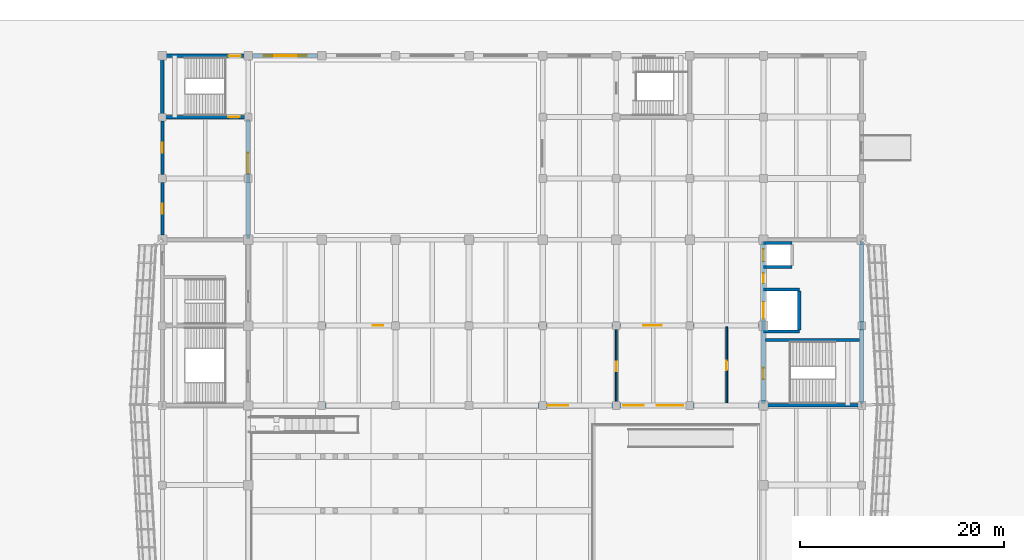
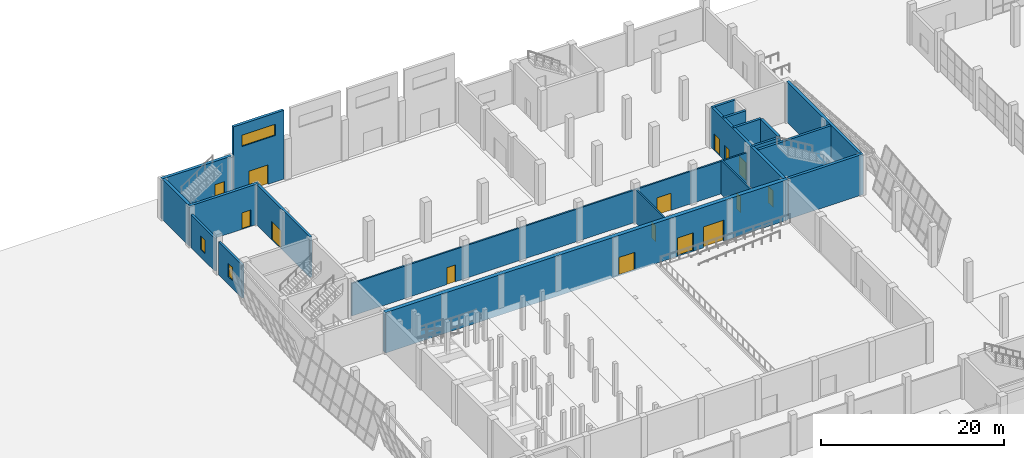
# One storey, part 64 of 78: 20 walls, 15 doors, 3 windows, 18 openings.
"""IFC4 building model written with IfcOpenShell, lengths in metres."""

from ifc_helpers import new_model, si_unit, direction, frame, frame_2d, origin, place, context, subcontext, project, spatial, rectangle, extrude, material, layer, layer_set, type_object, element, fill, save


model = new_model("IFC4")

# Units and contexts
model_context = context("Model", 3, precision=1e-05, world=origin(), true_north=direction((0.0, 1.0)))
body_context = subcontext(model_context, "Body", "Model", "MODEL_VIEW")
ifc_project = project(units=[si_unit("LENGTHUNIT", "METRE"), si_unit("AREAUNIT", "SQUARE_METRE"), si_unit("VOLUMEUNIT", "CUBIC_METRE"), si_unit("PLANEANGLEUNIT", "RADIAN"), si_unit("MASSUNIT", "GRAM", prefix="KILO")], contexts=[model_context])

# Site, building, storey
site_placement = place(None, origin())
site = spatial("IfcSite", under=ifc_project, at=site_placement, CompositionType="ELEMENT")
building_placement = place(site_placement, origin())
building = spatial("IfcBuilding", under=site, at=building_placement, Name="Pellamere Symphony Hall", CompositionType="ELEMENT")
storey_placement = place(building_placement, origin())
storey = spatial("IfcBuildingStorey", under=building, at=storey_placement, Name="L00", CompositionType="ELEMENT", Elevation=0.0)

# Wall, opening, window
ifc_material_1 = material(Name="Architectural Limestone-Clad Insulated Backing Assembly", Category="masonry")
ifc_layer_1 = layer(ifc_material_1, 0.280029296875, Name="Architectural Limestone-Clad Insulated Backing Assembly")
ifc_layer_set_1 = layer_set([ifc_layer_1], Name="Architectural Limestone-Clad Insulated Backing Assembly")
wall_type_1 = type_object("IfcWallType", Name="Exterior Wall EW-03 280mm", PredefinedType="SOLIDWALL", material=ifc_layer_set_1)
wall_1_placement = place(storey_placement, frame((50.39990234375, 94.050048828125, 0.0), z_axis=(0.0, 0.0, 1.0), x_axis=(0.0, 1.0, 0.0)))
wall_1 = element("IfcWall", 1, at=wall_1_placement, inside=storey, type_object=wall_type_1, Name="Exterior Wall EW-03-023 (L00)", PredefinedType="SOLIDWALL", context=body_context, shape_type="SweptSolid", body=[
    extrude(rectangle(XDim=5.175048828125, YDim=0.280029296875, at=frame_2d((2.58740234375, 0.0))), origin(), (0.0, 0.0, 1.0), 4.39990234375),
])
opening_1_placement = place(wall_1_placement, frame((2.112548828125, 0.0, 1.050048828125)))
opening_1 = element("IfcOpeningElement", 2, at=opening_1_placement, cuts=wall_1, Name="Opening W020", PredefinedType="OPENING", context=body_context, shape_type="SweptSolid", body=[
    extrude(rectangle(XDim=0.949951171875, YDim=1.800048828125, at=frame_2d((0.47509765625, 0.89990234375))), frame((0.0, 0.14990234375, 0.0), z_axis=(0.0, -1.0, 0.0), x_axis=(1.0, 0.0, 0.0)), (0.0, 0.0, 1.0), 0.300048828125),
])
ifc_material_2 = material(Name="Thermally Broken Aluminium Triple-Glazed Acoustic Window", Category="aluminium")
window_type_1 = type_object("IfcWindowType", Name="Window WN-08 950x1800", PartitioningType="SINGLE_PANEL", PredefinedType="WINDOW", material=ifc_material_2)
window_1_placement = place(opening_1_placement, origin())
window_1 = element("IfcWindow", 3, at=window_1_placement, inside=storey, type_object=window_type_1, Name="Exterior Window W020 (L00)", OverallHeight=1.800048828125, OverallWidth=0.949951171875, PartitioningType="SINGLE_PANEL", PredefinedType="WINDOW", context=body_context, shape_type="SweptSolid", body=[
    extrude(rectangle(XDim=0.949951171875, YDim=1.800048828125, at=frame_2d((0.47509765625, 0.89990234375))), frame((0.0, 0.030029296875, 0.0), z_axis=(0.0, -1.0, 0.0), x_axis=(1.0, 0.0, 0.0)), (0.0, 0.0, 1.0), 0.06005859375),
])
fill(opening_1, window_1)

wall_2_placement = place(storey_placement, frame((50.39990234375, 99.97509765625, 0.0), z_axis=(0.0, 0.0, 1.0), x_axis=(0.0, 1.0, 0.0)))
wall_2 = element("IfcWall", 4, at=wall_2_placement, inside=storey, type_object=wall_type_1, Name="Exterior Wall EW-03-025 (L00)", PredefinedType="SOLIDWALL", context=body_context, shape_type="SweptSolid", body=[
    extrude(rectangle(XDim=5.25, YDim=0.280029296875, at=frame_2d((2.625, 0.0))), origin(), (0.0, 0.0, 1.0), 4.39990234375),
])
opening_2_placement = place(wall_2_placement, frame((2.14990234375, 0.0, 1.050048828125)))
opening_2 = element("IfcOpeningElement", 5, at=opening_2_placement, cuts=wall_2, Name="Opening W021", PredefinedType="OPENING", context=body_context, shape_type="SweptSolid", body=[
    extrude(rectangle(XDim=0.949951171875, YDim=1.800048828125, at=frame_2d((0.47509765625, 0.89990234375))), frame((0.0, 0.14990234375, 0.0), z_axis=(0.0, -1.0, 0.0), x_axis=(1.0, 0.0, 0.0)), (0.0, 0.0, 1.0), 0.300048828125),
])
window_2_placement = place(opening_2_placement, origin())
window_2 = element("IfcWindow", 6, at=window_2_placement, inside=storey, type_object=window_type_1, Name="Exterior Window W021 (L00)", OverallHeight=1.800048828125, OverallWidth=0.949951171875, PartitioningType="SINGLE_PANEL", PredefinedType="WINDOW", context=body_context, shape_type="SweptSolid", body=[
    extrude(rectangle(XDim=0.949951171875, YDim=1.800048828125, at=frame_2d((0.47509765625, 0.89990234375))), frame((0.0, 0.030029296875, 0.0), z_axis=(0.0, -1.0, 0.0), x_axis=(1.0, 0.0, 0.0)), (0.0, 0.0, 1.0), 0.06005859375),
])
fill(opening_2, window_2)

# Wall, openings, door, window
ifc_material_3 = material(Name="Precast concrete 40 MPa", Category="concrete")
ifc_layer_2 = layer(ifc_material_3, 0.340087890625, Name="Precast concrete 40 MPa")
ifc_layer_set_2 = layer_set([ifc_layer_2], Name="Precast concrete 40 MPa")
wall_type_2 = type_object("IfcWallType", Name="Exterior Wall EW-07 340mm", PredefinedType="SOLIDWALL", material=ifc_layer_set_2)
wall_3_placement = place(storey_placement, frame((59.2099609375, 111.60009765625, 0.0), z_axis=(0.0, 0.0, 1.0), x_axis=(1.0, 0.0, 0.0)))
wall_3 = element("IfcWall", 7, at=wall_3_placement, inside=storey, type_object=wall_type_2, Name="Exterior Wall EW-07-016 (L00)", PredefinedType="SOLIDWALL", context=body_context, shape_type="SweptSolid", body=[
    extrude(rectangle(XDim=6.380126953125, YDim=0.340087890625, at=frame_2d((3.18994140625, 0.0))), origin(), (0.0, 0.0, 1.0), 9.179931640625),
])
opening_3_placement = place(wall_3_placement, frame((1.090087890625, 0.0, 6.199951171875)))
opening_3 = element("IfcOpeningElement", 8, at=opening_3_placement, cuts=wall_3, Name="Opening W014", PredefinedType="OPENING", context=body_context, shape_type="SweptSolid", body=[
    extrude(rectangle(XDim=4.199951171875, YDim=1.5, at=frame_2d((2.10009765625, 0.75))), frame((0.0, 0.179931640625, 0.0), z_axis=(0.0, -1.0, 0.0), x_axis=(1.0, 0.0, 0.0)), (0.0, 0.0, 1.0), 0.360107421875),
])
opening_4_placement = place(wall_3_placement, frame((1.989990234375, 0.0, 0.0)))
opening_4 = element("IfcOpeningElement", 9, at=opening_4_placement, cuts=wall_3, Name="Opening E0958", PredefinedType="OPENING", context=body_context, shape_type="SweptSolid", body=[
    extrude(rectangle(XDim=2.39990234375, YDim=2.60009765625, at=frame_2d((1.199951171875, 1.300048828125))), frame((0.0, 0.179931640625, 0.0), z_axis=(0.0, -1.0, 0.0), x_axis=(1.0, 0.0, 0.0)), (0.0, 0.0, 1.0), 0.360107421875),
])
ifc_material_4 = material(Name="Thermally Broken Bronze-Anodised Aluminium Acoustic Door", Category="aluminium")
door_type_1 = type_object("IfcDoorType", Name="Exterior Door ED-01 2400x2600", OperationType="NOTDEFINED", PredefinedType="DOOR", material=ifc_material_4)
door_1_placement = place(opening_4_placement, origin())
door_1 = element("IfcDoor", 10, at=door_1_placement, inside=storey, type_object=door_type_1, Name="Rehearsal North Plaza Exit", OperationType="DOUBLE_DOOR_SINGLE_SWING", OverallHeight=2.60009765625, OverallWidth=2.39990234375, PredefinedType="DOOR", context=body_context, shape_type="SweptSolid", body=[
    extrude(rectangle(XDim=2.39990234375, YDim=2.60009765625, at=frame_2d((1.199951171875, 1.300048828125))), frame((0.0, 0.02490234375, 0.0), z_axis=(0.0, -1.0, 0.0), x_axis=(1.0, 0.0, 0.0)), (0.0, 0.0, 1.0), 0.050048828125),
])
fill(opening_4, door_1)
window_type_2 = type_object("IfcWindowType", Name="Window WN-09 4200x1500", PartitioningType="TRIPLE_PANEL_HORIZONTAL", PredefinedType="WINDOW", material=ifc_material_2)
window_3_placement = place(opening_3_placement, origin())
window_3 = element("IfcWindow", 11, at=window_3_placement, inside=storey, type_object=window_type_2, Name="Exterior Window W014 (L00)", OverallHeight=1.5, OverallWidth=4.199951171875, PartitioningType="SINGLE_PANEL", PredefinedType="WINDOW", context=body_context, shape_type="SweptSolid", body=[
    extrude(rectangle(XDim=4.199951171875, YDim=1.5, at=frame_2d((2.10009765625, 0.75))), frame((0.0, 0.030029296875, 0.0), z_axis=(0.0, -1.0, 0.0), x_axis=(1.0, 0.0, 0.0)), (0.0, 0.0, 1.0), 0.06005859375),
])
fill(opening_3, window_3)

# Wall, openings, doors
ifc_material_5 = material(Name="Fire-Rated STC-58 Corridor Acoustic Partition", Category="gypsum")
ifc_layer_3 = layer(ifc_material_5, 0.199951171875, Name="Fire-Rated STC-58 Corridor Acoustic Partition")
ifc_layer_set_3 = layer_set([ifc_layer_3], Name="Fire-Rated STC-58 Corridor Acoustic Partition")
wall_type_3 = type_object("IfcWallType", Name="Interior Partition IW-02 200mm", PredefinedType="PARTITIONING", material=ifc_layer_set_3)
wall_4_placement = place(storey_placement, frame((58.9599609375, 85.199951171875, 0.0), z_axis=(0.0, 0.0, 1.0), x_axis=(1.0, 0.0, 0.0)))
wall_4 = element("IfcWall", 12, at=wall_4_placement, inside=storey, type_object=wall_type_3, Name="Interior Partition IW-02-058 (L00)", PredefinedType="PARTITIONING", context=body_context, shape_type="SweptSolid", body=[
    extrude(rectangle(XDim=49.880126953125, YDim=0.199951171875, at=frame_2d((24.93994140625, 0.0))), origin(), (0.0, 0.0, 1.0), 4.340087890625),
])
opening_5_placement = place(wall_4_placement, frame((12.0, 0.0, 0.0)))
opening_5 = element("IfcOpeningElement", 13, at=opening_5_placement, cuts=wall_4, Name="Opening ID-AD2-020", PredefinedType="OPENING", context=body_context, shape_type="SweptSolid", body=[
    extrude(rectangle(XDim=1.050048828125, YDim=2.25, at=frame_2d((0.52490234375, 1.125))), frame((0.0, 0.10986328125, 0.0), z_axis=(0.0, -1.0, 0.0), x_axis=(1.0, 0.0, 0.0)), (0.0, 0.0, 1.0), 0.219970703125),
])
opening_6_placement = place(wall_4_placement, frame((38.5, 0.0, 0.0)))
opening_6 = element("IfcOpeningElement", 14, at=opening_6_placement, cuts=wall_4, Name="Opening ID-FD1-021", PredefinedType="OPENING", context=body_context, shape_type="SweptSolid", body=[
    extrude(rectangle(XDim=1.800048828125, YDim=2.300048828125, at=frame_2d((0.89990234375, 1.14990234375))), frame((0.0, 0.10986328125, 0.0), z_axis=(0.0, -1.0, 0.0), x_axis=(1.0, 0.0, 0.0)), (0.0, 0.0, 1.0), 0.219970703125),
])
ifc_material_6 = material(Name="STC-50 Oak Acoustic Studio Door", Category="wood")
door_type_2 = type_object("IfcDoorType", Name="Interior Door ID-AD2 1050x2250", OperationType="NOTDEFINED", PredefinedType="DOOR", material=ifc_material_6)
door_2_placement = place(opening_5_placement, origin())
door_2 = element("IfcDoor", 15, at=door_2_placement, inside=storey, type_object=door_type_2, Name="Artists Green Room Entry", OperationType="SINGLE_SWING_LEFT", OverallHeight=2.25, OverallWidth=1.050048828125, PredefinedType="DOOR", context=body_context, shape_type="SweptSolid", body=[
    extrude(rectangle(XDim=1.050048828125, YDim=2.25, at=frame_2d((0.52490234375, 1.125))), frame((0.0, 0.02490234375, 0.0), z_axis=(0.0, -1.0, 0.0), x_axis=(1.0, 0.0, 0.0)), (0.0, 0.0, 1.0), 0.050048828125),
])
fill(opening_5, door_2)
ifc_material_7 = material(Name="Fire-Rated Cross-Corridor Double Door", Category="wood")
door_type_3 = type_object("IfcDoorType", Name="Interior Door ID-FD1 1800x2300", OperationType="NOTDEFINED", PredefinedType="DOOR", material=ifc_material_7)
door_3_placement = place(opening_6_placement, origin())
door_3 = element("IfcDoor", 16, at=door_3_placement, inside=storey, type_object=door_type_3, Name="Stage Wing Piano Prep Door", OperationType="DOUBLE_DOOR_SINGLE_SWING", OverallHeight=2.300048828125, OverallWidth=1.800048828125, PredefinedType="DOOR", context=body_context, shape_type="SweptSolid", body=[
    extrude(rectangle(XDim=1.800048828125, YDim=2.300048828125, at=frame_2d((0.89990234375, 1.14990234375))), frame((0.0, 0.02490234375, 0.0), z_axis=(0.0, -1.0, 0.0), x_axis=(1.0, 0.0, 0.0)), (0.0, 0.0, 1.0), 0.050048828125),
])
fill(opening_6, door_3)

# Wall, opening, door
ifc_material_8 = material(Name="Moisture-Resistant Ceramic-Tiled Washroom Wall", Category="gypsum")
ifc_layer_4 = layer(ifc_material_8, 0.179931640625, Name="Moisture-Resistant Ceramic-Tiled Washroom Wall")
ifc_layer_set_4 = layer_set([ifc_layer_4], Name="Moisture-Resistant Ceramic-Tiled Washroom Wall")
wall_type_4 = type_object("IfcWallType", Name="Interior Partition IW-06 180mm", PredefinedType="PARTITIONING", material=ifc_layer_set_4)
wall_5_placement = place(storey_placement, frame((94.800048828125, 77.550048828125, 0.0), z_axis=(0.0, 0.0, 1.0), x_axis=(0.0, 1.0, 0.0)))
wall_5 = element("IfcWall", 17, at=wall_5_placement, inside=storey, type_object=wall_type_4, Name="Interior Partition IW-06-056 (L00)", PredefinedType="PARTITIONING", context=body_context, shape_type="SweptSolid", body=[
    extrude(rectangle(XDim=7.64990234375, YDim=0.179931640625, at=frame_2d((3.824951171875, 0.0))), origin(), (0.0, 0.0, 1.0), 4.449951171875),
])
opening_7_placement = place(wall_5_placement, frame((3.199951171875, 0.0, 0.0)))
opening_7 = element("IfcOpeningElement", 18, at=opening_7_placement, cuts=wall_5, Name="Opening ID-WC1-018", PredefinedType="OPENING", context=body_context, shape_type="SweptSolid", body=[
    extrude(rectangle(XDim=0.919921875, YDim=2.14990234375, at=frame_2d((0.4599609375, 1.074951171875))), frame((0.0, 0.099853515625, 0.0), z_axis=(0.0, -1.0, 0.0), x_axis=(1.0, 0.0, 0.0)), (0.0, 0.0, 1.0), 0.199951171875),
])
ifc_material_9 = material(Name="Accessible Washroom Privacy Door", Category="wood")
door_type_4 = type_object("IfcDoorType", Name="Interior Door ID-WC1 920x2150", OperationType="NOTDEFINED", PredefinedType="DOOR", material=ifc_material_9)
door_4_placement = place(opening_7_placement, origin())
door_4 = element("IfcDoor", 19, at=door_4_placement, inside=storey, type_object=door_type_4, Name="Ground Public Washrooms Entry", OperationType="SINGLE_SWING_RIGHT", OverallHeight=2.14990234375, OverallWidth=0.919921875, PredefinedType="DOOR", context=body_context, shape_type="SweptSolid", body=[
    extrude(rectangle(XDim=0.919921875, YDim=2.14990234375, at=frame_2d((0.4599609375, 1.074951171875))), frame((0.0, 0.02490234375, 0.0), z_axis=(0.0, -1.0, 0.0), x_axis=(1.0, 0.0, 0.0)), (0.0, 0.0, 1.0), 0.050048828125),
])
fill(opening_7, door_4)

wall_6_placement = place(storey_placement, frame((105.60009765625, 77.659912109375, 0.0), z_axis=(0.0, 0.0, 1.0), x_axis=(0.0, 1.0, 0.0)))
wall_6 = element("IfcWall", 20, at=wall_6_placement, inside=storey, type_object=wall_type_4, Name="Interior Partition IW-06-057 (L00)", PredefinedType="PARTITIONING", context=body_context, shape_type="SweptSolid", body=[
    extrude(rectangle(XDim=7.43017578125, YDim=0.179931640625, at=frame_2d((3.715087890625, 0.0))), origin(), (0.0, 0.0, 1.0), 4.534912109375),
])
opening_8_placement = place(wall_6_placement, frame((3.199951171875, 0.0, 0.0)))
opening_8 = element("IfcOpeningElement", 21, at=opening_8_placement, cuts=wall_6, Name="Opening ID-WC1-019", PredefinedType="OPENING", context=body_context, shape_type="SweptSolid", body=[
    extrude(rectangle(XDim=0.919921875, YDim=2.14990234375, at=frame_2d((0.4599609375, 1.074951171875))), frame((0.0, 0.099853515625, 0.0), z_axis=(0.0, -1.0, 0.0), x_axis=(1.0, 0.0, 0.0)), (0.0, 0.0, 1.0), 0.199951171875),
])
door_5_placement = place(opening_8_placement, origin())
door_5 = element("IfcDoor", 22, at=door_5_placement, inside=storey, type_object=door_type_4, Name="Ground Accessible WC Door", OperationType="SINGLE_SWING_LEFT", OverallHeight=2.14990234375, OverallWidth=0.919921875, PredefinedType="DOOR", context=body_context, shape_type="SweptSolid", body=[
    extrude(rectangle(XDim=0.919921875, YDim=2.14990234375, at=frame_2d((0.4599609375, 1.074951171875))), frame((0.0, 0.02490234375, 0.0), z_axis=(0.0, -1.0, 0.0), x_axis=(1.0, 0.0, 0.0)), (0.0, 0.0, 1.0), 0.050048828125),
])
fill(opening_8, door_5)

# Wall
ifc_material_10 = material(Name="Concrete 40 MPa", Category="concrete")
ifc_layer_5 = layer(ifc_material_10, 0.35009765625, Name="Concrete 40 MPa")
ifc_layer_set_5 = layer_set([ifc_layer_5], Name="Concrete 40 MPa")
wall_type_5 = type_object("IfcWallType", Name="Structural Wall SW-03 350mm", PredefinedType="SHEAR", material=ifc_layer_set_5)
wall_7_placement = place(storey_placement, frame((109.52001953125, 77.39990234375, 0.0), z_axis=(0.0, 0.0, 1.0), x_axis=(1.0, 0.0, 0.0)))
element("IfcWall", 23, at=wall_7_placement, inside=storey, type_object=wall_type_5, Name="Core Shear Wall C4 S (L00)", PredefinedType="SHEAR", context=body_context, shape_type="SweptSolid", body=[
    extrude(rectangle(XDim=9.455078125, YDim=0.35009765625, at=frame_2d((4.7275390625, 0.0))), origin(), (0.0, 0.0, 1.0), 5.39990234375),
])

# Wall, openings, doors
wall_8_placement = place(storey_placement, frame((109.199951171875, 77.574951171875, 0.0), z_axis=(0.0, 0.0, 1.0), x_axis=(0.0, 1.0, 0.0)))
wall_8 = element("IfcWall", 24, at=wall_8_placement, inside=storey, type_object=wall_type_5, Name="Core Shear Wall C4 W (L00)", PredefinedType="SHEAR", context=body_context, shape_type="SweptSolid", body=[
    extrude(rectangle(XDim=15.85009765625, YDim=0.35009765625, at=frame_2d((7.925048828125, 0.0))), origin(), (0.0, 0.0, 1.0), 5.39990234375),
])
opening_9_placement = place(wall_8_placement, frame((8.324951171875, 0.0, 0.0)))
opening_9 = element("IfcOpeningElement", 25, at=opening_9_placement, cuts=wall_8, Name="Opening LD-46", PredefinedType="OPENING", context=body_context, shape_type="SweptSolid", body=[
    extrude(rectangle(XDim=1.60009765625, YDim=2.39990234375, at=frame_2d((0.800048828125, 1.199951171875))), frame((0.0, 0.18505859375, 0.0), z_axis=(0.0, -1.0, 0.0), x_axis=(1.0, 0.0, 0.0)), (0.0, 0.0, 1.0), 0.3701171875),
])
opening_10_placement = place(wall_8_placement, frame((13.925048828125, 0.0, 0.0)))
opening_10 = element("IfcOpeningElement", 26, at=opening_10_placement, cuts=wall_8, Name="Opening LD-51", PredefinedType="OPENING", context=body_context, shape_type="SweptSolid", body=[
    extrude(rectangle(XDim=1.199951171875, YDim=2.199951171875, at=frame_2d((0.60009765625, 1.10009765625))), frame((0.0, 0.18505859375, 0.0), z_axis=(0.0, -1.0, 0.0), x_axis=(1.0, 0.0, 0.0)), (0.0, 0.0, 1.0), 0.3701171875),
])
opening_11_placement = place(wall_8_placement, frame((11.7900390625, 0.0, 0.0)))
opening_11 = element("IfcOpeningElement", 27, at=opening_11_placement, cuts=wall_8, Name="Opening FD-123", PredefinedType="OPENING", context=body_context, shape_type="SweptSolid", body=[
    extrude(rectangle(XDim=0.949951171875, YDim=2.10009765625, at=frame_2d((0.47509765625, 1.050048828125))), frame((0.0, 0.18505859375, 0.0), z_axis=(0.0, -1.0, 0.0), x_axis=(1.0, 0.0, 0.0)), (0.0, 0.0, 1.0), 0.3701171875),
])
opening_12_placement = place(wall_8_placement, frame((2.39990234375, 0.0, 0.0)))
opening_12 = element("IfcOpeningElement", 28, at=opening_12_placement, cuts=wall_8, Name="Opening SD-18", PredefinedType="OPENING", context=body_context, shape_type="SweptSolid", body=[
    extrude(rectangle(XDim=1.10009765625, YDim=2.199951171875, at=frame_2d((0.550048828125, 1.10009765625))), frame((0.0, 0.18505859375, 0.0), z_axis=(0.0, -1.0, 0.0), x_axis=(1.0, 0.0, 0.0)), (0.0, 0.0, 1.0), 0.3701171875),
])
ifc_material_11 = material(Name="Two-Hour Fire-Rated Steel Compartment Door", Category="steel")
door_type_5 = type_object("IfcDoorType", Name="Interior Door ID-FD3 950x2100", OperationType="NOTDEFINED", PredefinedType="DOOR", material=ifc_material_11)
door_6_placement = place(opening_11_placement, origin())
door_6 = element("IfcDoor", 29, at=door_6_placement, inside=storey, type_object=door_type_5, Name="Core C4 Stage Service and Riser Door (L00)", OperationType="SINGLE_SWING_RIGHT", OverallHeight=2.10009765625, OverallWidth=0.949951171875, PredefinedType="DOOR", context=body_context, shape_type="SweptSolid", body=[
    extrude(rectangle(XDim=0.949951171875, YDim=2.10009765625, at=frame_2d((0.47509765625, 1.050048828125))), frame((0.0, 0.02490234375, 0.0), z_axis=(0.0, -1.0, 0.0), x_axis=(1.0, 0.0, 0.0)), (0.0, 0.0, 1.0), 0.050048828125),
])
fill(opening_11, door_6)
ifc_material_12 = material(Name="Stainless Steel AISI 316 Elevator Landing Door", Category="steel")
door_type_6 = type_object("IfcDoorType", Name="Interior Door ID-LD1 1200x2200", OperationType="NOTDEFINED", PredefinedType="DOOR", material=ifc_material_12)
door_7_placement = place(opening_10_placement, origin())
door_7 = element("IfcDoor", 30, at=door_7_placement, inside=storey, type_object=door_type_6, Name="Elevator PL6 Sliding Landing Door (L00)", OperationType="SLIDING_TO_LEFT", OverallHeight=2.199951171875, OverallWidth=1.199951171875, PredefinedType="DOOR", context=body_context, shape_type="SweptSolid", body=[
    extrude(rectangle(XDim=1.199951171875, YDim=2.199951171875, at=frame_2d((0.60009765625, 1.10009765625))), frame((0.0, 0.02490234375, 0.0), z_axis=(0.0, -1.0, 0.0), x_axis=(1.0, 0.0, 0.0)), (0.0, 0.0, 1.0), 0.050048828125),
])
fill(opening_10, door_7)
ifc_material_13 = material(Name="Heavy-Duty Stainless Freight Elevator Landing Door", Category="steel")
door_type_7 = type_object("IfcDoorType", Name="Interior Door ID-LD2 1600x2400", OperationType="NOTDEFINED", PredefinedType="DOOR", material=ifc_material_13)
door_8_placement = place(opening_9_placement, origin())
door_8 = element("IfcDoor", 31, at=door_8_placement, inside=storey, type_object=door_type_7, Name="Elevator GL1 Sliding Landing Door (L00)", OperationType="SLIDING_TO_RIGHT", OverallHeight=2.39990234375, OverallWidth=1.60009765625, PredefinedType="DOOR", context=body_context, shape_type="SweptSolid", body=[
    extrude(rectangle(XDim=1.60009765625, YDim=2.39990234375, at=frame_2d((0.800048828125, 1.199951171875))), frame((0.0, 0.02490234375, 0.0), z_axis=(0.0, -1.0, 0.0), x_axis=(1.0, 0.0, 0.0)), (0.0, 0.0, 1.0), 0.050048828125),
])
fill(opening_9, door_8)
ifc_material_14 = material(Name="Fire-Rated Steel Exit Stair Door", Category="steel")
door_type_8 = type_object("IfcDoorType", Name="Interior Door ID-SD1 1100x2200", OperationType="NOTDEFINED", PredefinedType="DOOR", material=ifc_material_14)
door_9_placement = place(opening_12_placement, origin())
door_9 = element("IfcDoor", 32, at=door_9_placement, inside=storey, type_object=door_type_8, Name="Core C4 Exit Stair Door (L00)", OperationType="SINGLE_SWING_RIGHT", OverallHeight=2.199951171875, OverallWidth=1.10009765625, PredefinedType="DOOR", context=body_context, shape_type="SweptSolid", body=[
    extrude(rectangle(XDim=1.10009765625, YDim=2.199951171875, at=frame_2d((0.550048828125, 1.10009765625))), frame((0.0, 0.02490234375, 0.0), z_axis=(0.0, -1.0, 0.0), x_axis=(1.0, 0.0, 0.0)), (0.0, 0.0, 1.0), 0.050048828125),
])
fill(opening_12, door_9)

# Wall
wall_9_placement = place(storey_placement, frame((118.800048828125, 77.574951171875, 0.0), z_axis=(0.0, 0.0, 1.0), x_axis=(0.0, 1.0, 0.0)))
element("IfcWall", 33, at=wall_9_placement, inside=storey, type_object=wall_type_5, Name="Core Shear Wall C4 E (L00)", PredefinedType="SHEAR", context=body_context, shape_type="SweptSolid", body=[
    extrude(rectangle(XDim=15.85009765625, YDim=0.35009765625, at=frame_2d((7.925048828125, 0.0))), origin(), (0.0, 0.0, 1.0), 5.39990234375),
])

# Wall, opening, door
wall_10_placement = place(storey_placement, frame((50.22509765625, 105.60009765625, 0.0), z_axis=(0.0, 0.0, 1.0), x_axis=(1.0, 0.0, 0.0)))
wall_10 = element("IfcWall", 34, at=wall_10_placement, inside=storey, type_object=wall_type_5, Name="Stair ST10 Enclosure Wall S (L00)", PredefinedType="SHEAR", context=body_context, shape_type="SweptSolid", body=[
    extrude(rectangle(XDim=8.75, YDim=0.35009765625, at=frame_2d((4.375, 0.0))), origin(), (0.0, 0.0, 1.0), 5.39990234375),
])
opening_13_placement = place(wall_10_placement, frame((6.625, 0.0, 0.0)))
opening_13 = element("IfcOpeningElement", 35, at=opening_13_placement, cuts=wall_10, Name="Opening SD-52", PredefinedType="OPENING", context=body_context, shape_type="SweptSolid", body=[
    extrude(rectangle(XDim=1.10009765625, YDim=2.199951171875, at=frame_2d((0.550048828125, 1.10009765625))), frame((0.0, 0.18505859375, 0.0), z_axis=(0.0, -1.0, 0.0), x_axis=(1.0, 0.0, 0.0)), (0.0, 0.0, 1.0), 0.3701171875),
])
door_10_placement = place(opening_13_placement, origin())
door_10 = element("IfcDoor", 36, at=door_10_placement, inside=storey, type_object=door_type_8, Name="Exit Stair ST10 Door (L00)", OperationType="SINGLE_SWING_RIGHT", OverallHeight=2.199951171875, OverallWidth=1.10009765625, PredefinedType="DOOR", context=body_context, shape_type="SweptSolid", body=[
    extrude(rectangle(XDim=1.10009765625, YDim=2.199951171875, at=frame_2d((0.550048828125, 1.10009765625))), frame((0.0, 0.02490234375, 0.0), z_axis=(0.0, -1.0, 0.0), x_axis=(1.0, 0.0, 0.0)), (0.0, 0.0, 1.0), 0.050048828125),
])
fill(opening_13, door_10)

# Wall
wall_11_placement = place(storey_placement, frame((50.39990234375, 105.77490234375, 0.0), z_axis=(0.0, 0.0, 1.0), x_axis=(0.0, 1.0, 0.0)))
element("IfcWall", 37, at=wall_11_placement, inside=storey, type_object=wall_type_5, Name="Stair ST10 Enclosure Wall W (L00)", PredefinedType="SHEAR", context=body_context, shape_type="SweptSolid", body=[
    extrude(rectangle(XDim=5.650146484375, YDim=0.35009765625, at=frame_2d((2.8251953125, 0.0))), origin(), (0.0, 0.0, 1.0), 5.39990234375),
])

# Wall, opening, door
ifc_layer_6 = layer(ifc_material_10, 0.300048828125, Name="Concrete 40 MPa")
ifc_layer_set_6 = layer_set([ifc_layer_6], Name="Concrete 40 MPa")
wall_type_6 = type_object("IfcWallType", Name="Structural Wall SW-04 300mm", PredefinedType="SHEAR", material=ifc_layer_set_6)
wall_12_placement = place(storey_placement, frame((58.800048828125, 93.75, 0.0), z_axis=(0.0, 0.0, 1.0), x_axis=(0.0, 1.0, 0.0)))
wall_12 = element("IfcWall", 38, at=wall_12_placement, inside=storey, type_object=wall_type_6, Name="Rehearsal Hall Acoustic Wall AW3-W (L00)", PredefinedType="SHEAR", context=body_context, shape_type="SweptSolid", body=[
    extrude(rectangle(XDim=11.60009765625, YDim=0.300048828125, at=frame_2d((5.800048828125, 0.0))), origin(), (0.0, 0.0, 1.0), 5.39990234375),
])
opening_14_placement = place(wall_12_placement, frame((6.35009765625, 0.0, 0.0)))
opening_14 = element("IfcOpeningElement", 39, at=opening_14_placement, cuts=wall_12, Name="Opening AD-80", PredefinedType="OPENING", context=body_context, shape_type="SweptSolid", body=[
    extrude(rectangle(XDim=2.0, YDim=2.449951171875, at=frame_2d((1.0, 1.22509765625))), frame((0.0, 0.159912109375, 0.0), z_axis=(0.0, -1.0, 0.0), x_axis=(1.0, 0.0, 0.0)), (0.0, 0.0, 1.0), 0.320068359375),
])
ifc_material_15 = material(Name="STC-55 Solid White Oak Acoustic Hall Entry Door", Category="wood")
door_type_9 = type_object("IfcDoorType", Name="Interior Door ID-AD1 2000x2450", OperationType="NOTDEFINED", PredefinedType="DOOR", material=ifc_material_15)
door_11_placement = place(opening_14_placement, origin())
door_11 = element("IfcDoor", 40, at=door_11_placement, inside=storey, type_object=door_type_9, Name="Rehearsal Hall West Musicians Door", OperationType="DOUBLE_DOOR_SINGLE_SWING", OverallHeight=2.449951171875, OverallWidth=2.0, PredefinedType="DOOR", context=body_context, shape_type="SweptSolid", body=[
    extrude(rectangle(XDim=2.0, YDim=2.449951171875, at=frame_2d((1.0, 1.22509765625))), frame((0.0, 0.02490234375, 0.0), z_axis=(0.0, -1.0, 0.0), x_axis=(1.0, 0.0, 0.0)), (0.0, 0.0, 1.0), 0.050048828125),
])
fill(opening_14, door_11)

# Walls
for number, where, z_axis, x_axis, name in (
    (41, (109.199951171875, 84.64990234375, 0.0), (0.0, 0.0, 1.0), (1.0, 0.0, 0.0), "Elevator GL1 Hoistway Wall S (L00)"),
    (42, (109.199951171875, 88.75, 0.0), (0.0, 0.0, 1.0), (1.0, 0.0, 0.0), "Elevator GL1 Hoistway Wall N (L00)"),
):
    element("IfcWall", number, at=place(storey_placement, frame(where, z_axis=z_axis, x_axis=x_axis)), inside=storey, type_object=wall_type_6, Name=name, PredefinedType="SHEAR", context=body_context, shape_type="SweptSolid", body=[
        extrude(rectangle(XDim=3.5, YDim=0.300048828125, at=frame_2d((1.75, 0.0))), origin(), (0.0, 0.0, 1.0), 5.39990234375),
    ])
wall_13_placement = place(storey_placement, frame((112.699951171875, 84.800048828125, 0.0), z_axis=(0.0, 0.0, 1.0), x_axis=(0.0, 1.0, 0.0)))
element("IfcWall", 43, at=wall_13_placement, inside=storey, type_object=wall_type_6, Name="Elevator GL1 Hoistway Wall E (L00)", PredefinedType="SHEAR", context=body_context, shape_type="SweptSolid", body=[
    extrude(rectangle(XDim=3.800048828125, YDim=0.300048828125, at=frame_2d((1.89990234375, 0.0))), origin(), (0.0, 0.0, 1.0), 5.39990234375),
])
for number, where, z_axis, x_axis, name in (
    (44, (109.199951171875, 90.925048828125, 0.0), (0.0, 0.0, 1.0), (1.0, 0.0, 0.0), "Elevator PL6 Hoistway Wall S (L00)"),
    (45, (109.199951171875, 93.27490234375, 0.0), (0.0, 0.0, 1.0), (1.0, 0.0, 0.0), "Elevator PL6 Hoistway Wall N (L00)"),
):
    element("IfcWall", number, at=place(storey_placement, frame(where, z_axis=z_axis, x_axis=x_axis)), inside=storey, type_object=wall_type_6, Name=name, PredefinedType="SHEAR", context=body_context, shape_type="SweptSolid", body=[
        extrude(rectangle(XDim=2.800048828125, YDim=0.300048828125, at=frame_2d((1.39990234375, 0.0))), origin(), (0.0, 0.0, 1.0), 5.39990234375),
    ])

# Wall, openings, doors
ifc_material_16 = material(Name="Architectural warm-pigmented concrete 40 MPa", Category="concrete")
ifc_layer_7 = layer(ifc_material_16, 0.5, Name="Architectural warm-pigmented concrete 40 MPa")
ifc_layer_set_7 = layer_set([ifc_layer_7], Name="Architectural warm-pigmented concrete 40 MPa")
wall_type_7 = type_object("IfcWallType", Name="Structural Wall SW-05 500mm", PredefinedType="SOLIDWALL", material=ifc_layer_set_7)
wall_14_placement = place(storey_placement, frame((58.590087890625, 77.39990234375, 0.0), z_axis=(0.0, 0.0, 1.0), x_axis=(1.0, 0.0, 0.0)))
wall_14 = element("IfcWall", 46, at=wall_14_placement, inside=storey, type_object=wall_type_7, Name="Main Hall Acoustic Box Wall AW1-N (L00)", PredefinedType="SOLIDWALL", context=body_context, shape_type="SweptSolid", body=[
    extrude(rectangle(XDim=50.81982421875, YDim=0.5, at=frame_2d((25.409912109375, 0.0))), origin(), (0.0, 0.0, 1.0), 5.39990234375),
])
opening_15_placement = place(wall_14_placement, frame((29.5, 0.0, 0.0)))
opening_15 = element("IfcOpeningElement", 47, at=opening_15_placement, cuts=wall_14, Name="Opening AD-03", PredefinedType="OPENING", context=body_context, shape_type="SweptSolid", body=[
    extrude(rectangle(XDim=2.0, YDim=2.449951171875, at=frame_2d((1.0, 1.22509765625))), frame((0.0, 0.260009765625, 0.0), z_axis=(0.0, -1.0, 0.0), x_axis=(1.0, 0.0, 0.0)), (0.0, 0.0, 1.0), 0.52001953125),
])
opening_16_placement = place(wall_14_placement, frame((36.89990234375, 0.0, 0.0)))
opening_16 = element("IfcOpeningElement", 48, at=opening_16_placement, cuts=wall_14, Name="Opening AD-04", PredefinedType="OPENING", context=body_context, shape_type="SweptSolid", body=[
    extrude(rectangle(XDim=2.0, YDim=2.449951171875, at=frame_2d((1.0, 1.22509765625))), frame((0.0, 0.260009765625, 0.0), z_axis=(0.0, -1.0, 0.0), x_axis=(1.0, 0.0, 0.0)), (0.0, 0.0, 1.0), 0.52001953125),
])
opening_17_placement = place(wall_14_placement, frame((40.14990234375, 0.0, 0.0)))
opening_17 = element("IfcOpeningElement", 49, at=opening_17_placement, cuts=wall_14, Name="Opening GD-01", PredefinedType="OPENING", context=body_context, shape_type="SweptSolid", body=[
    extrude(rectangle(XDim=2.60009765625, YDim=2.800048828125, at=frame_2d((1.300048828125, 1.39990234375))), frame((0.0, 0.260009765625, 0.0), z_axis=(0.0, -1.0, 0.0), x_axis=(1.0, 0.0, 0.0)), (0.0, 0.0, 1.0), 0.52001953125),
])
door_12_placement = place(opening_15_placement, origin())
door_12 = element("IfcDoor", 50, at=door_12_placement, inside=storey, type_object=door_type_9, Name="Main Hall Stalls Acoustic Entry Door L00 N", OperationType="DOUBLE_DOOR_SINGLE_SWING", OverallHeight=2.449951171875, OverallWidth=2.0, PredefinedType="DOOR", context=body_context, shape_type="SweptSolid", body=[
    extrude(rectangle(XDim=2.0, YDim=2.449951171875, at=frame_2d((1.0, 1.22509765625))), frame((0.0, 0.02490234375, 0.0), z_axis=(0.0, -1.0, 0.0), x_axis=(1.0, 0.0, 0.0)), (0.0, 0.0, 1.0), 0.050048828125),
])
fill(opening_15, door_12)
door_13_placement = place(opening_16_placement, origin())
door_13 = element("IfcDoor", 51, at=door_13_placement, inside=storey, type_object=door_type_9, Name="Main Hall Stalls Acoustic Entry Door L00 N", OperationType="DOUBLE_DOOR_SINGLE_SWING", OverallHeight=2.449951171875, OverallWidth=2.0, PredefinedType="DOOR", context=body_context, shape_type="SweptSolid", body=[
    extrude(rectangle(XDim=2.0, YDim=2.449951171875, at=frame_2d((1.0, 1.22509765625))), frame((0.0, 0.02490234375, 0.0), z_axis=(0.0, -1.0, 0.0), x_axis=(1.0, 0.0, 0.0)), (0.0, 0.0, 1.0), 0.050048828125),
])
fill(opening_16, door_13)
ifc_material_17 = material(Name="Oversized Piano Stage Acoustic Transfer Door", Category="steel")
door_type_10 = type_object("IfcDoorType", Name="Interior Gate ID-ST1 2600x2800", OperationType="NOTDEFINED", PredefinedType="GATE", material=ifc_material_17)
door_14_placement = place(opening_17_placement, origin())
door_14 = element("IfcDoor", 52, at=door_14_placement, inside=storey, type_object=door_type_10, Name="Main Stage Piano Acoustic Transfer Gate", OperationType="DOUBLE_DOOR_SINGLE_SWING", OverallHeight=2.800048828125, OverallWidth=2.60009765625, PredefinedType="GATE", context=body_context, shape_type="SweptSolid", body=[
    extrude(rectangle(XDim=2.60009765625, YDim=2.800048828125, at=frame_2d((1.300048828125, 1.39990234375))), frame((0.0, 0.02490234375, 0.0), z_axis=(0.0, -1.0, 0.0), x_axis=(1.0, 0.0, 0.0)), (0.0, 0.0, 1.0), 0.050048828125),
])
fill(opening_17, door_14)

# Wall, opening, door
ifc_layer_8 = layer(ifc_material_10, 0.3798828125, Name="Concrete 40 MPa")
ifc_layer_set_8 = layer_set([ifc_layer_8], Name="Concrete 40 MPa")
wall_type_8 = type_object("IfcWallType", Name="Structural Wall SW-07 380mm", PredefinedType="SHEAR", material=ifc_layer_set_8)
wall_15_placement = place(storey_placement, frame((50.22509765625, 111.60009765625, 0.0), z_axis=(0.0, 0.0, 1.0), x_axis=(1.0, 0.0, 0.0)))
wall_15 = element("IfcWall", 53, at=wall_15_placement, inside=storey, type_object=wall_type_8, Name="Stair ST10 Enclosure Wall N (L00)", PredefinedType="SHEAR", context=body_context, shape_type="SweptSolid", body=[
    extrude(rectangle(XDim=8.75, YDim=0.3798828125, at=frame_2d((4.375, 0.0))), origin(), (0.0, 0.0, 1.0), 5.39990234375),
])
opening_18_placement = place(wall_15_placement, frame((6.64990234375, 0.0, 0.0)))
opening_18 = element("IfcOpeningElement", 54, at=opening_18_placement, cuts=wall_15, Name="Opening E34", PredefinedType="OPENING", context=body_context, shape_type="SweptSolid", body=[
    extrude(rectangle(XDim=1.199951171875, YDim=2.300048828125, at=frame_2d((0.60009765625, 1.14990234375))), frame((0.0, 0.199951171875, 0.0), z_axis=(0.0, -1.0, 0.0), x_axis=(1.0, 0.0, 0.0)), (0.0, 0.0, 1.0), 0.39990234375),
])
door_type_11 = type_object("IfcDoorType", Name="Exterior Door ED-04 1200x2300", OperationType="NOTDEFINED", PredefinedType="DOOR", material=ifc_material_4)
door_15_placement = place(opening_18_placement, origin())
door_15 = element("IfcDoor", 55, at=door_15_placement, inside=storey, type_object=door_type_11, Name="Stair ST10 Direct North Street Exit", OperationType="SINGLE_SWING_LEFT", OverallHeight=2.300048828125, OverallWidth=1.199951171875, PredefinedType="DOOR", context=body_context, shape_type="SweptSolid", body=[
    extrude(rectangle(XDim=1.199951171875, YDim=2.300048828125, at=frame_2d((0.60009765625, 1.14990234375))), frame((0.0, 0.02490234375, 0.0), z_axis=(0.0, -1.0, 0.0), x_axis=(1.0, 0.0, 0.0)), (0.0, 0.0, 1.0), 0.050048828125),
])
fill(opening_18, door_15)

# Wall
ifc_layer_9 = layer(ifc_material_10, 0.31005859375, Name="Concrete 40 MPa")
ifc_layer_set_9 = layer_set([ifc_layer_9], Name="Concrete 40 MPa")
wall_type_9 = type_object("IfcWallType", Name="Structural Wall SW-08 310mm", PredefinedType="SHEAR", material=ifc_layer_set_9)
wall_16_placement = place(storey_placement, frame((109.39501953125, 83.800048828125, 0.0), z_axis=(0.0, 0.0, 1.0), x_axis=(1.0, 0.0, 0.0)))
element("IfcWall", 56, at=wall_16_placement, inside=storey, type_object=wall_type_9, Name="Core Stair Divider Wall C4 (L00)", PredefinedType="SHEAR", context=body_context, shape_type="SweptSolid", body=[
    extrude(rectangle(XDim=9.2099609375, YDim=0.31005859375, at=frame_2d((4.60498046875, 0.0))), origin(), (0.0, 0.0, 1.0), 5.39990234375),
])

save(model, "model.ifc")
